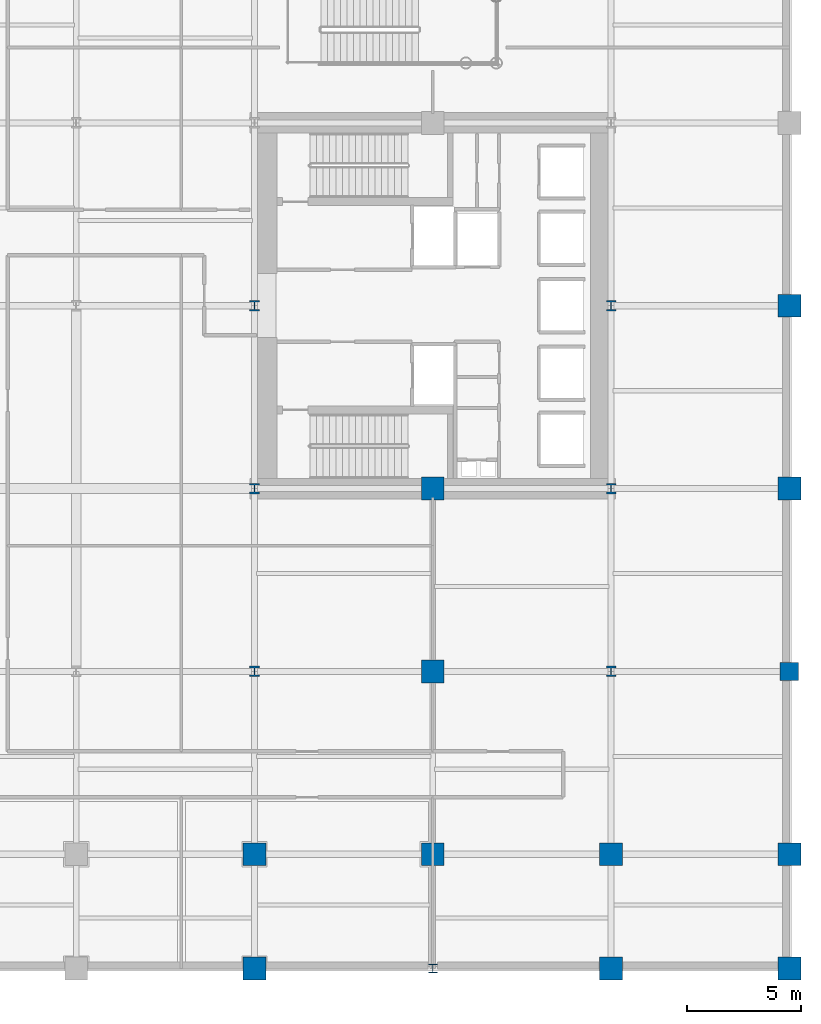
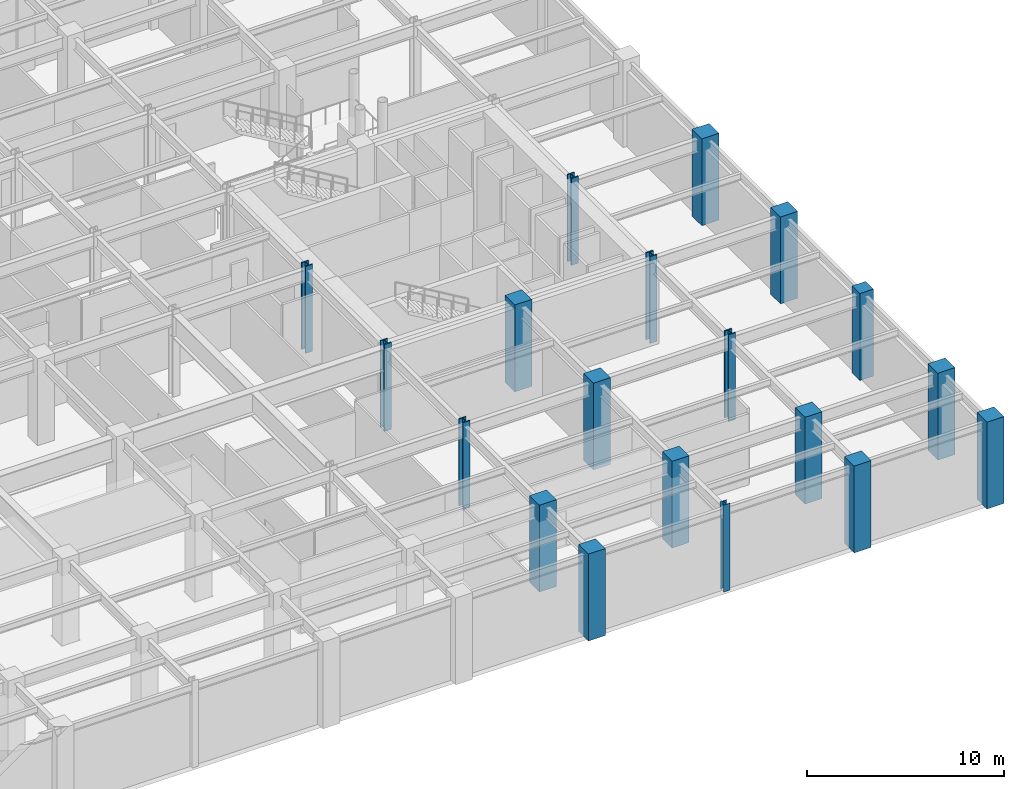
# One storey, part 2 of 12: 19 columns.
"""IFC4 building model written with IfcOpenShell, lengths in metres."""

from ifc_helpers import new_model, si_unit, direction, frame, origin, origin_2d, place, context, subcontext, project, spatial, rectangle, i_section, extrude, material, material_profile, profile_set, type_object, element, save


model = new_model("IFC4")

# Units and contexts
model_context = context("Model", 3, precision=1e-05, world=origin(), true_north=direction((0.0, 1.0)))
body_context = subcontext(model_context, "Body", "Model", "MODEL_VIEW")
ifc_project = project(units=[si_unit("LENGTHUNIT", "METRE"), si_unit("AREAUNIT", "SQUARE_METRE"), si_unit("VOLUMEUNIT", "CUBIC_METRE"), si_unit("PLANEANGLEUNIT", "RADIAN"), si_unit("MASSUNIT", "GRAM", prefix="KILO")], contexts=[model_context])

# Site, building, storey
site_placement = place(None, origin())
site = spatial("IfcSite", under=ifc_project, at=site_placement, CompositionType="ELEMENT")
building_placement = place(site_placement, origin())
building = spatial("IfcBuilding", under=site, at=building_placement, Name="Veymaron Broadcast Tower", CompositionType="ELEMENT")
storey_placement = place(building_placement, frame((0.0, 0.0, 10.800048828125)))
storey = spatial("IfcBuildingStorey", under=building, at=storey_placement, Name="L02", CompositionType="ELEMENT", Elevation=10.800048828125)

# Columns
ifc_material_1 = material(Name="Structural steel ASTM A913 Gr 65", Category="steel")
ifc_material_profile_1 = material_profile(ifc_material_1, i_section(OverallWidth=0.41796875, OverallDepth=0.455078125, WebThickness=0.0419921875, FlangeThickness=0.067626953125, at=origin_2d()), Name="W360X551")
ifc_profile_set_1 = profile_set([ifc_material_profile_1], Name="Structural steel ASTM A913 Gr 65")
column_type_1 = type_object("IfcColumnType", Name="COL-MC2", PredefinedType="COLUMN", material=ifc_profile_set_1)
for number, where, z_axis, x_axis, name in (
    (1, (39.0, 8.0, 0.0), (0.0, 0.0, 1.0), (1.0, 0.0, 0.0), "L02 column (39.0, 8.0)"),
    (2, (39.0, 16.0, 0.0), (0.0, 0.0, 1.0), (1.0, 0.0, 0.0), "L02 column (39.0, 16.0)"),
    (3, (39.0, 24.0, 0.0), (0.0, 0.0, 1.0), (1.0, 0.0, 0.0), "L02 column (39.0, 24.0)"),
    (4, (54.60009765625, 8.0, 0.0), (0.0, 0.0, 1.0), (1.0, 0.0, 0.0), "L02 column (54.6, 8.0)"),
    (5, (54.60009765625, 16.0, 0.0), (0.0, 0.0, 1.0), (1.0, 0.0, 0.0), "L02 column (54.6, 16.0)"),
    (6, (54.60009765625, 24.0, 0.0), (0.0, 0.0, 1.0), (1.0, 0.0, 0.0), "L02 column (54.6, 24.0)"),
):
    element("IfcColumn", number, at=place(storey_placement, frame(where, z_axis=z_axis, x_axis=x_axis)), inside=storey, type_object=column_type_1, Name=name, PredefinedType="COLUMN", context=body_context, shape_type="SweptSolid", body=[
        extrude(i_section(OverallWidth=0.41796875, OverallDepth=0.455078125, WebThickness=0.0419921875, FlangeThickness=0.067626953125, at=origin_2d()), origin(), (0.0, 0.0, 1.0), 5.39501953125),
    ])
ifc_material_2 = material(Name="Concrete C60/75", Category="concrete")
ifc_material_profile_2 = material_profile(ifc_material_2, rectangle(XDim=1.0, YDim=1.0, at=origin_2d()), Name="RC1000X1000")
ifc_profile_set_2 = profile_set([ifc_material_profile_2], Name="Concrete C60/75")
column_type_2 = type_object("IfcColumnType", Name="COL-RC3", PredefinedType="COLUMN", material=ifc_profile_set_2)
for number, where, z_axis, x_axis, name in (
    (7, (39.0, -5.0, 0.0), (0.0, 0.0, 1.0), (1.0, 0.0, 0.0), "L02 column (39.0, -5.0)"),
    (8, (39.0, 0.0, 0.0), (0.0, 0.0, 1.0), (1.0, 0.0, 0.0), "L02 column (39.0, 0.0)"),
    (9, (46.800048828125, 0.0, 0.0), (0.0, 0.0, 1.0), (1.0, 0.0, 0.0), "L02 column (46.8, 0.0)"),
    (10, (46.800048828125, 8.0, 0.0), (0.0, 0.0, 1.0), (1.0, 0.0, 0.0), "L02 column (46.8, 8.0)"),
    (11, (46.800048828125, 16.0, 0.0), (0.0, 0.0, 1.0), (1.0, 0.0, 0.0), "L02 column (46.8, 16.0)"),
    (12, (54.60009765625, -5.0, 0.0), (0.0, 0.0, 1.0), (1.0, 0.0, 0.0), "L02 column (54.6, -5.0)"),
    (13, (54.60009765625, 0.0, 0.0), (0.0, 0.0, 1.0), (1.0, 0.0, 0.0), "L02 column (54.6, 0.0)"),
    (14, (62.39990234375, -5.0, 0.0), (0.0, 0.0, 1.0), (1.0, 0.0, 0.0), "L02 column (62.4, -5.0)"),
    (15, (62.39990234375, 0.0, 0.0), (0.0, 0.0, 1.0), (1.0, 0.0, 0.0), "L02 column (62.4, 0.0)"),
    (16, (62.39990234375, 16.0, 0.0), (0.0, 0.0, 1.0), (1.0, 0.0, 0.0), "L02 column (62.4, 16.0)"),
    (17, (62.39990234375, 24.0, 0.0), (0.0, 0.0, 1.0), (1.0, 0.0, 0.0), "L02 column (62.4, 24.0)"),
):
    element("IfcColumn", number, at=place(storey_placement, frame(where, z_axis=z_axis, x_axis=x_axis)), inside=storey, type_object=column_type_2, Name=name, PredefinedType="COLUMN", context=body_context, shape_type="SweptSolid", body=[
        extrude(rectangle(XDim=1.0, YDim=1.0, at=origin_2d()), origin(), (0.0, 0.0, 1.0), 5.39501953125),
    ])
ifc_material_3 = material(Name="Concrete C50/60", Category="concrete")
ifc_material_profile_3 = material_profile(ifc_material_3, rectangle(XDim=0.800048828125, YDim=0.800048828125, at=origin_2d()), Name="RC800X800")
ifc_profile_set_3 = profile_set([ifc_material_profile_3], Name="Concrete C50/60")
column_type_3 = type_object("IfcColumnType", Name="COL-RC5", PredefinedType="COLUMN", material=ifc_profile_set_3)
column_1_placement = place(storey_placement, frame((62.39990234375, 8.0, 0.0), z_axis=(0.0, 0.0, 1.0), x_axis=(1.0, 0.0, 0.0)))
element("IfcColumn", 18, at=column_1_placement, inside=storey, type_object=column_type_3, Name="L02 column (62.4, 8.0)", PredefinedType="COLUMN", context=body_context, shape_type="SweptSolid", body=[
    extrude(rectangle(XDim=0.800048828125, YDim=0.800048828125, at=origin_2d()), origin(), (0.0, 0.0, 1.0), 5.39501953125),
])
ifc_material_4 = material(Name="Structural steel ASTM A992 Gr 50", Category="steel")
ifc_material_profile_4 = material_profile(ifc_material_4, i_section(OverallWidth=0.3701171875, OverallDepth=0.360107421875, WebThickness=0.01220703125, FlangeThickness=0.019775390625, at=origin_2d()), Name="W360X147")
ifc_profile_set_4 = profile_set([ifc_material_profile_4], Name="Structural steel ASTM A992 Gr 50")
column_type_4 = type_object("IfcColumnType", Name="COL-SC1", PredefinedType="COLUMN", material=ifc_profile_set_4)
column_2_placement = place(storey_placement, frame((46.800048828125, -5.0, 0.0), z_axis=(0.0, 0.0, 1.0), x_axis=(1.0, 0.0, 0.0)))
element("IfcColumn", 19, at=column_2_placement, inside=storey, type_object=column_type_4, Name="L02 column (46.8, -5.0)", PredefinedType="COLUMN", context=body_context, shape_type="SweptSolid", body=[
    extrude(i_section(OverallWidth=0.3701171875, OverallDepth=0.360107421875, WebThickness=0.01220703125, FlangeThickness=0.019775390625, at=origin_2d()), origin(), (0.0, 0.0, 1.0), 5.39501953125),
])

save(model, "model.ifc")
